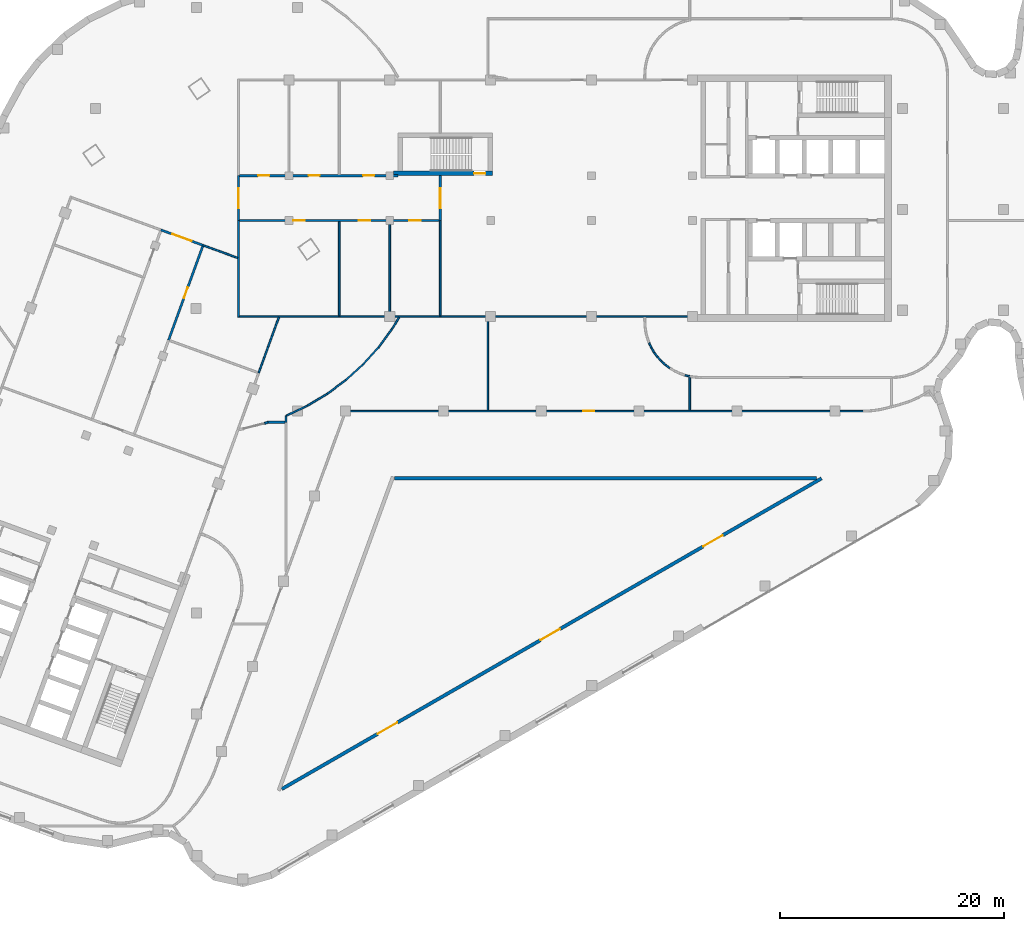
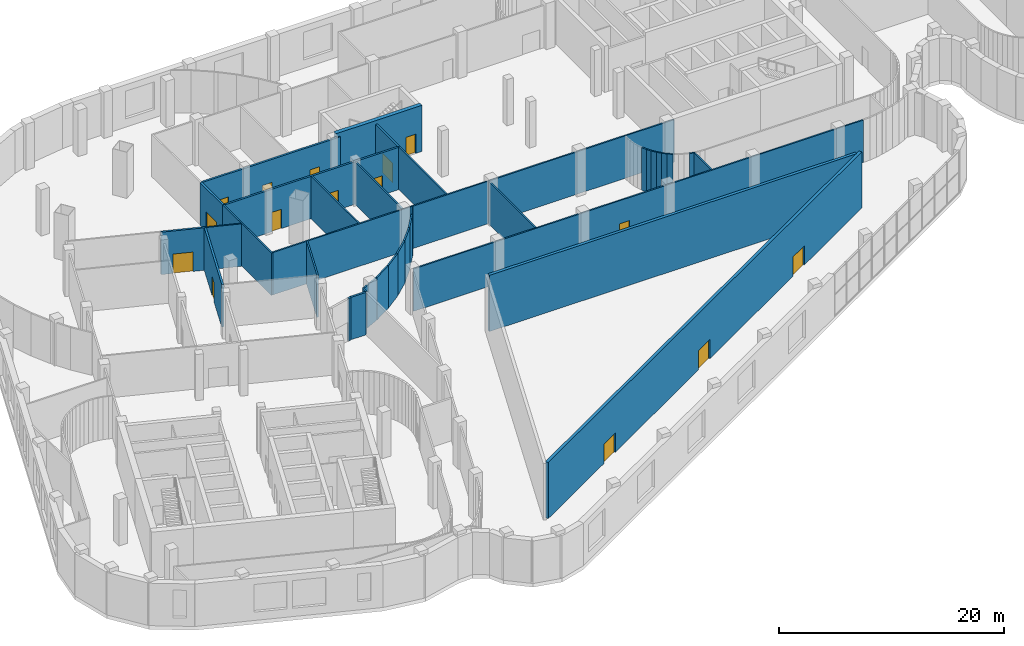
# One storey, part 12 of 24: 36 walls, 15 doors, 15 openings.
"""IFC4 building model written with IfcOpenShell, lengths in metres."""

from ifc_helpers import new_model, si_unit, direction, frame, frame_2d, origin, place, context, subcontext, project, spatial, rectangle, extrude, material, layer, layer_set, type_object, element, fill, save


model = new_model("IFC4")

# Units and contexts
model_context = context("Model", 3, precision=1e-05, world=origin(), true_north=direction((0.0, 1.0)))
body_context = subcontext(model_context, "Body", "Model", "MODEL_VIEW")
ifc_project = project(units=[si_unit("LENGTHUNIT", "METRE"), si_unit("AREAUNIT", "SQUARE_METRE"), si_unit("VOLUMEUNIT", "CUBIC_METRE"), si_unit("PLANEANGLEUNIT", "RADIAN"), si_unit("MASSUNIT", "GRAM", prefix="KILO")], contexts=[model_context])

# Site, building, storey
site_placement = place(None, origin())
site = spatial("IfcSite", under=ifc_project, at=site_placement, CompositionType="ELEMENT")
building_placement = place(site_placement, origin())
building = spatial("IfcBuilding", under=site, at=building_placement, Name="Skarvind Civic Tower", CompositionType="ELEMENT")
storey_placement = place(building_placement, frame((0.0, 0.0, 12.5)))
storey = spatial("IfcBuildingStorey", under=building, at=storey_placement, Name="L02", CompositionType="ELEMENT", Elevation=12.5)

# Wall, opening, door
ifc_material_1 = material(Name="Concrete C80", Category="concrete")
ifc_layer_1 = layer(ifc_material_1, 0.39990234375)
ifc_layer_set_1 = layer_set([ifc_layer_1], Name="Core wall 400 C80")
wall_type_1 = type_object("IfcWallType", Name="Core wall 400 C80", PredefinedType="SHEAR", material=ifc_layer_set_1)
wall_1_placement = place(storey_placement, frame((63.60009765625, 130.199951171875, 0.0), z_axis=(0.0, 0.0, 1.0), x_axis=(1.0, 0.0, 0.0)))
wall_1 = element("IfcWall", 1, at=wall_1_placement, inside=storey, type_object=wall_type_1, Name="Core wall CM inner L02", PredefinedType="SHEAR", context=body_context, shape_type="SweptSolid", body=[
    extrude(rectangle(XDim=8.7998046875, YDim=0.39990234375, at=frame_2d((4.39990234375, 0.0))), origin(), (0.0, 0.0, 1.0), 5.0),
])
opening_1_placement = place(wall_1_placement, frame((7.175048828125, 0.0, 0.0)))
opening_1 = element("IfcOpeningElement", 2, at=opening_1_placement, cuts=wall_1, Name="Opening D-L02-CM-01", PredefinedType="OPENING", context=body_context, shape_type="SweptSolid", body=[
    extrude(rectangle(XDim=1.0, YDim=2.10009765625, at=frame_2d((0.5, 1.050048828125))), frame((0.0, 0.2099609375, 0.0), z_axis=(0.0, -1.0, 0.0), x_axis=(1.0, 0.0, 0.0)), (0.0, 0.0, 1.0), 0.419921875),
])
ifc_material_2 = material(Name="Fire-rated steel door", Category="steel")
door_type_1 = type_object("IfcDoorType", Name="Fire door 1000", OperationType="NOTDEFINED", PredefinedType="DOOR", material=ifc_material_2)
door_1_placement = place(opening_1_placement, origin())
door_1 = element("IfcDoor", 3, at=door_1_placement, inside=storey, type_object=door_type_1, Name="Fire door", OperationType="SINGLE_SWING_LEFT", OverallHeight=2.10009765625, OverallWidth=1.0, PredefinedType="DOOR", context=body_context, shape_type="SweptSolid", body=[
    extrude(rectangle(XDim=1.0, YDim=2.10009765625, at=frame_2d((0.5, 1.050048828125))), frame((0.0, 0.02490234375, 0.0), z_axis=(0.0, -1.0, 0.0), x_axis=(1.0, 0.0, 0.0)), (0.0, 0.0, 1.0), 0.050048828125),
])
fill(opening_1, door_1)

ifc_material_3 = material(Name="Fire-rated blockwork wall, plastered", Category="masonry")
ifc_layer_2 = layer(ifc_material_3, 0.199951171875)
ifc_layer_set_2 = layer_set([ifc_layer_2], Name="FIRE WALL 200 EI 60")
wall_type_2 = type_object("IfcWallType", Name="FIRE WALL 200 EI 60", PredefinedType="PARTITIONING", material=ifc_layer_set_2)
wall_2_placement = place(storey_placement, frame((42.837890625, 125.159912109375, 0.0), z_axis=(0.0, 0.0, 1.0), x_axis=(0.939713209288, -0.341963571582, 0.0)))
wall_2 = element("IfcWall", 4, at=wall_2_placement, inside=storey, type_object=wall_type_2, Name="Podium partition L02 057", PredefinedType="PARTITIONING", context=body_context, shape_type="SweptSolid", body=[
    extrude(rectangle(XDim=4.000244140625, YDim=0.199951171875, at=frame_2d((2.0, 0.0))), origin(), (0.0, 0.0, 1.0), 4.60009765625),
])
opening_2_placement = place(wall_2_placement, frame((1.10009765625, 0.0, 0.0)))
opening_2 = element("IfcOpeningElement", 5, at=opening_2_placement, cuts=wall_2, Name="Opening L02-D208", PredefinedType="OPENING", context=body_context, shape_type="SweptSolid", body=[
    extrude(rectangle(XDim=1.800048828125, YDim=2.10009765625, at=frame_2d((0.89990234375, 1.050048828125))), frame((0.0, 0.10986328125, 0.0), z_axis=(0.0, -1.0, 0.0), x_axis=(1.0, 0.0, 0.0)), (0.0, 0.0, 1.0), 0.219970703125),
])
ifc_material_4 = material(Name="Painted steel fire door leaf", Category="steel")
door_type_2 = type_object("IfcDoorType", Name="FIRE DOOR 1800X2100 DOUBLE STEEL", OperationType="NOTDEFINED", PredefinedType="DOOR", material=ifc_material_4)
door_2_placement = place(opening_2_placement, origin())
door_2 = element("IfcDoor", 6, at=door_2_placement, inside=storey, type_object=door_type_2, Name="FIRE DOOR", OperationType="DOUBLE_DOOR_SINGLE_SWING", OverallHeight=2.10009765625, OverallWidth=1.800048828125, PredefinedType="DOOR", context=body_context, shape_type="SweptSolid", body=[
    extrude(rectangle(XDim=1.800048828125, YDim=2.10009765625, at=frame_2d((0.89990234375, 1.050048828125))), frame((0.0, 0.02490234375, 0.0), z_axis=(0.0, -1.0, 0.0), x_axis=(1.0, 0.0, 0.0)), (0.0, 0.0, 1.0), 0.050048828125),
])
fill(opening_2, door_2)

wall_3_placement = place(storey_placement, frame((46.56298828125, 123.697998046875, 0.0), z_axis=(0.0, 0.0, 1.0), x_axis=(-0.342024978895, -0.939690860768, 0.0)))
wall_3 = element("IfcWall", 7, at=wall_3_placement, inside=storey, type_object=wall_type_2, Name="Podium partition L02 061", PredefinedType="PARTITIONING", context=body_context, shape_type="SweptSolid", body=[
    extrude(rectangle(XDim=8.899658203125, YDim=0.199951171875, at=frame_2d((4.44970703125, 0.0))), origin(), (0.0, 0.0, 1.0), 4.60009765625),
])
opening_3_placement = place(wall_3_placement, frame((3.902099609375, 0.0, 0.0)))
opening_3 = element("IfcOpeningElement", 8, at=opening_3_placement, cuts=wall_3, Name="Opening L02-D209", PredefinedType="OPENING", context=body_context, shape_type="SweptSolid", body=[
    extrude(rectangle(XDim=1.0, YDim=2.10009765625, at=frame_2d((0.5, 1.050048828125))), frame((0.0, 0.10986328125, 0.0), z_axis=(0.0, -1.0, 0.0), x_axis=(1.0, 0.0, 0.0)), (0.0, 0.0, 1.0), 0.219970703125),
])
door_type_3 = type_object("IfcDoorType", Name="FIRE DOOR 1000X2100 STEEL", OperationType="NOTDEFINED", PredefinedType="DOOR", material=ifc_material_4)
door_3_placement = place(opening_3_placement, origin())
door_3 = element("IfcDoor", 9, at=door_3_placement, inside=storey, type_object=door_type_3, Name="FIRE DOOR", OperationType="SINGLE_SWING_RIGHT", OverallHeight=2.10009765625, OverallWidth=1.0, PredefinedType="DOOR", context=body_context, shape_type="SweptSolid", body=[
    extrude(rectangle(XDim=1.0, YDim=2.10009765625, at=frame_2d((0.5, 1.050048828125))), frame((0.0, 0.02490234375, 0.0), z_axis=(0.0, -1.0, 0.0), x_axis=(1.0, 0.0, 0.0)), (0.0, 0.0, 1.0), 0.050048828125),
])
fill(opening_3, door_3)

wall_4_placement = place(storey_placement, frame((49.75, 126.0, 0.0), z_axis=(0.0, 0.0, 1.0), x_axis=(0.0, 1.0, 0.0)))
wall_4 = element("IfcWall", 10, at=wall_4_placement, inside=storey, type_object=wall_type_2, Name="Podium partition L02 096", PredefinedType="PARTITIONING", context=body_context, shape_type="SweptSolid", body=[
    extrude(rectangle(XDim=4.0, YDim=0.199951171875, at=frame_2d((2.0, 0.0))), origin(), (0.0, 0.0, 1.0), 4.60009765625),
])
opening_4_placement = place(wall_4_placement, frame((1.10009765625, 0.0, 0.0)))
opening_4 = element("IfcOpeningElement", 11, at=opening_4_placement, cuts=wall_4, Name="Opening L02-D213", PredefinedType="OPENING", context=body_context, shape_type="SweptSolid", body=[
    extrude(rectangle(XDim=1.800048828125, YDim=2.10009765625, at=frame_2d((0.89990234375, 1.050048828125))), frame((0.0, 0.10986328125, 0.0), z_axis=(0.0, -1.0, 0.0), x_axis=(1.0, 0.0, 0.0)), (0.0, 0.0, 1.0), 0.219970703125),
])
door_4_placement = place(opening_4_placement, origin())
door_4 = element("IfcDoor", 12, at=door_4_placement, inside=storey, type_object=door_type_2, Name="FIRE DOOR", OperationType="DOUBLE_DOOR_SINGLE_SWING", OverallHeight=2.10009765625, OverallWidth=1.800048828125, PredefinedType="DOOR", context=body_context, shape_type="SweptSolid", body=[
    extrude(rectangle(XDim=1.800048828125, YDim=2.10009765625, at=frame_2d((0.89990234375, 1.050048828125))), frame((0.0, 0.02490234375, 0.0), z_axis=(0.0, -1.0, 0.0), x_axis=(1.0, 0.0, 0.0)), (0.0, 0.0, 1.0), 0.050048828125),
])
fill(opening_4, door_4)

# Wall, openings, doors
wall_5_placement = place(storey_placement, frame((67.64990234375, 126.0, 0.0), z_axis=(0.0, 0.0, 1.0), x_axis=(-1.0, 0.0, 0.0)))
wall_5 = element("IfcWall", 13, at=wall_5_placement, inside=storey, type_object=wall_type_2, Name="Podium partition L02 097", PredefinedType="PARTITIONING", context=body_context, shape_type="SweptSolid", body=[
    extrude(rectangle(XDim=17.7998046875, YDim=0.199951171875, at=frame_2d((8.89990234375, 0.0))), origin(), (0.0, 0.0, 1.0), 4.60009765625),
])
opening_5_placement = place(wall_5_placement, frame((11.998046875, 0.0, 0.0)))
opening_5 = element("IfcOpeningElement", 14, at=opening_5_placement, cuts=wall_5, Name="Opening L02-D217", PredefinedType="OPENING", context=body_context, shape_type="SweptSolid", body=[
    extrude(rectangle(XDim=1.0, YDim=2.10009765625, at=frame_2d((0.5, 1.050048828125))), frame((0.0, 0.10986328125, 0.0), z_axis=(0.0, -1.0, 0.0), x_axis=(1.0, 0.0, 0.0)), (0.0, 0.0, 1.0), 0.219970703125),
])
opening_6_placement = place(wall_5_placement, frame((6.14990234375, 0.0, 0.0)))
opening_6 = element("IfcOpeningElement", 15, at=opening_6_placement, cuts=wall_5, Name="Opening L02-D219", PredefinedType="OPENING", context=body_context, shape_type="SweptSolid", body=[
    extrude(rectangle(XDim=1.0, YDim=2.10009765625, at=frame_2d((0.5, 1.050048828125))), frame((0.0, 0.10986328125, 0.0), z_axis=(0.0, -1.0, 0.0), x_axis=(1.0, 0.0, 0.0)), (0.0, 0.0, 1.0), 0.219970703125),
])
opening_7_placement = place(wall_5_placement, frame((1.652099609375, 0.0, 0.0)))
opening_7 = element("IfcOpeningElement", 16, at=opening_7_placement, cuts=wall_5, Name="Opening L02-D222", PredefinedType="OPENING", context=body_context, shape_type="SweptSolid", body=[
    extrude(rectangle(XDim=1.0, YDim=2.10009765625, at=frame_2d((0.5, 1.050048828125))), frame((0.0, 0.10986328125, 0.0), z_axis=(0.0, -1.0, 0.0), x_axis=(1.0, 0.0, 0.0)), (0.0, 0.0, 1.0), 0.219970703125),
])
door_5_placement = place(opening_5_placement, origin())
door_5 = element("IfcDoor", 17, at=door_5_placement, inside=storey, type_object=door_type_3, Name="FIRE DOOR", OperationType="SINGLE_SWING_LEFT", OverallHeight=2.10009765625, OverallWidth=1.0, PredefinedType="DOOR", context=body_context, shape_type="SweptSolid", body=[
    extrude(rectangle(XDim=1.0, YDim=2.10009765625, at=frame_2d((0.5, 1.050048828125))), frame((0.0, 0.02490234375, 0.0), z_axis=(0.0, -1.0, 0.0), x_axis=(1.0, 0.0, 0.0)), (0.0, 0.0, 1.0), 0.050048828125),
])
fill(opening_5, door_5)
door_6_placement = place(opening_6_placement, origin())
door_6 = element("IfcDoor", 18, at=door_6_placement, inside=storey, type_object=door_type_3, Name="FIRE DOOR", OperationType="SINGLE_SWING_LEFT", OverallHeight=2.10009765625, OverallWidth=1.0, PredefinedType="DOOR", context=body_context, shape_type="SweptSolid", body=[
    extrude(rectangle(XDim=1.0, YDim=2.10009765625, at=frame_2d((0.5, 1.050048828125))), frame((0.0, 0.02490234375, 0.0), z_axis=(0.0, -1.0, 0.0), x_axis=(1.0, 0.0, 0.0)), (0.0, 0.0, 1.0), 0.050048828125),
])
fill(opening_6, door_6)
door_7_placement = place(opening_7_placement, origin())
door_7 = element("IfcDoor", 19, at=door_7_placement, inside=storey, type_object=door_type_3, Name="FIRE DOOR", OperationType="SINGLE_SWING_RIGHT", OverallHeight=2.10009765625, OverallWidth=1.0, PredefinedType="DOOR", context=body_context, shape_type="SweptSolid", body=[
    extrude(rectangle(XDim=1.0, YDim=2.10009765625, at=frame_2d((0.5, 1.050048828125))), frame((0.0, 0.02490234375, 0.0), z_axis=(0.0, -1.0, 0.0), x_axis=(1.0, 0.0, 0.0)), (0.0, 0.0, 1.0), 0.050048828125),
])
fill(opening_7, door_7)

wall_6_placement = place(storey_placement, frame((49.85009765625, 130.0, 0.0), z_axis=(0.0, 0.0, 1.0), x_axis=(1.0, 0.0, 0.0)))
wall_6 = element("IfcWall", 20, at=wall_6_placement, inside=storey, type_object=wall_type_2, Name="Podium partition L02 099", PredefinedType="PARTITIONING", context=body_context, shape_type="SweptSolid", body=[
    extrude(rectangle(XDim=14.14990234375, YDim=0.199951171875, at=frame_2d((7.074951171875, 0.0))), origin(), (0.0, 0.0, 1.0), 4.60009765625),
])
opening_8_placement = place(wall_6_placement, frame((1.652099609375, 0.0, 0.0)))
opening_8 = element("IfcOpeningElement", 21, at=opening_8_placement, cuts=wall_6, Name="Opening L02-D215", PredefinedType="OPENING", context=body_context, shape_type="SweptSolid", body=[
    extrude(rectangle(XDim=1.0, YDim=2.10009765625, at=frame_2d((0.5, 1.050048828125))), frame((0.0, 0.10986328125, 0.0), z_axis=(0.0, -1.0, 0.0), x_axis=(1.0, 0.0, 0.0)), (0.0, 0.0, 1.0), 0.219970703125),
])
opening_9_placement = place(wall_6_placement, frame((6.14990234375, 0.0, 0.0)))
opening_9 = element("IfcOpeningElement", 22, at=opening_9_placement, cuts=wall_6, Name="Opening L02-D218", PredefinedType="OPENING", context=body_context, shape_type="SweptSolid", body=[
    extrude(rectangle(XDim=1.0, YDim=2.10009765625, at=frame_2d((0.5, 1.050048828125))), frame((0.0, 0.10986328125, 0.0), z_axis=(0.0, -1.0, 0.0), x_axis=(1.0, 0.0, 0.0)), (0.0, 0.0, 1.0), 0.219970703125),
])
opening_10_placement = place(wall_6_placement, frame((11.02294921875, 0.0, 0.0)))
opening_10 = element("IfcOpeningElement", 23, at=opening_10_placement, cuts=wall_6, Name="Opening L02-D220", PredefinedType="OPENING", context=body_context, shape_type="SweptSolid", body=[
    extrude(rectangle(XDim=1.0, YDim=2.10009765625, at=frame_2d((0.5, 1.050048828125))), frame((0.0, 0.10986328125, 0.0), z_axis=(0.0, -1.0, 0.0), x_axis=(1.0, 0.0, 0.0)), (0.0, 0.0, 1.0), 0.219970703125),
])
door_8_placement = place(opening_8_placement, origin())
door_8 = element("IfcDoor", 24, at=door_8_placement, inside=storey, type_object=door_type_3, Name="FIRE DOOR", OperationType="SINGLE_SWING_LEFT", OverallHeight=2.10009765625, OverallWidth=1.0, PredefinedType="DOOR", context=body_context, shape_type="SweptSolid", body=[
    extrude(rectangle(XDim=1.0, YDim=2.10009765625, at=frame_2d((0.5, 1.050048828125))), frame((0.0, 0.02490234375, 0.0), z_axis=(0.0, -1.0, 0.0), x_axis=(1.0, 0.0, 0.0)), (0.0, 0.0, 1.0), 0.050048828125),
])
fill(opening_8, door_8)
door_9_placement = place(opening_9_placement, origin())
door_9 = element("IfcDoor", 25, at=door_9_placement, inside=storey, type_object=door_type_3, Name="FIRE DOOR", OperationType="SINGLE_SWING_RIGHT", OverallHeight=2.10009765625, OverallWidth=1.0, PredefinedType="DOOR", context=body_context, shape_type="SweptSolid", body=[
    extrude(rectangle(XDim=1.0, YDim=2.10009765625, at=frame_2d((0.5, 1.050048828125))), frame((0.0, 0.02490234375, 0.0), z_axis=(0.0, -1.0, 0.0), x_axis=(1.0, 0.0, 0.0)), (0.0, 0.0, 1.0), 0.050048828125),
])
fill(opening_9, door_9)
door_10_placement = place(opening_10_placement, origin())
door_10 = element("IfcDoor", 26, at=door_10_placement, inside=storey, type_object=door_type_3, Name="FIRE DOOR", OperationType="SINGLE_SWING_LEFT", OverallHeight=2.10009765625, OverallWidth=1.0, PredefinedType="DOOR", context=body_context, shape_type="SweptSolid", body=[
    extrude(rectangle(XDim=1.0, YDim=2.10009765625, at=frame_2d((0.5, 1.050048828125))), frame((0.0, 0.02490234375, 0.0), z_axis=(0.0, -1.0, 0.0), x_axis=(1.0, 0.0, 0.0)), (0.0, 0.0, 1.0), 0.050048828125),
])
fill(opening_10, door_10)

# Walls
wall_7_placement = place(storey_placement, frame((52.091064453125, 107.902099609375, 0.0), z_axis=(0.0, 0.0, 1.0), x_axis=(0.940856992367, 0.338803954986, 0.0)))
element("IfcWall", 27, at=wall_7_placement, inside=storey, type_object=wall_type_2, Name="Podium partition L02 109", PredefinedType="PARTITIONING", context=body_context, shape_type="SweptSolid", body=[
    extrude(rectangle(XDim=0.306884765625, YDim=0.199951171875, at=frame_2d((0.1533203125, 0.0))), origin(), (0.0, 0.0, 1.0), 4.60009765625),
])
wall_8_placement = place(storey_placement, frame((52.346923828125, 108.0, 0.0), z_axis=(0.0, 0.0, 1.0), x_axis=(1.0, 0.0, 0.0)))
element("IfcWall", 28, at=wall_8_placement, inside=storey, type_object=wall_type_2, Name="Podium partition L02 110", PredefinedType="PARTITIONING", context=body_context, shape_type="SweptSolid", body=[
    extrude(rectangle(XDim=1.552978515625, YDim=0.199951171875, at=frame_2d((0.7763671875, 0.0))), origin(), (0.0, 0.0, 1.0), 4.60009765625),
])

# Wall, opening, door
wall_9_placement = place(storey_placement, frame((67.75, 130.0, 0.0), z_axis=(0.0, 0.0, 1.0), x_axis=(0.0, -1.0, 0.0)))
wall_9 = element("IfcWall", 29, at=wall_9_placement, inside=storey, type_object=wall_type_2, Name="Podium partition L02 139", PredefinedType="PARTITIONING", context=body_context, shape_type="SweptSolid", body=[
    extrude(rectangle(XDim=4.0, YDim=0.199951171875, at=frame_2d((2.0, 0.0))), origin(), (0.0, 0.0, 1.0), 4.60009765625),
])
opening_11_placement = place(wall_9_placement, frame((1.10009765625, 0.0, 0.0)))
opening_11 = element("IfcOpeningElement", 30, at=opening_11_placement, cuts=wall_9, Name="Opening L02-D223", PredefinedType="OPENING", context=body_context, shape_type="SweptSolid", body=[
    extrude(rectangle(XDim=1.800048828125, YDim=2.10009765625, at=frame_2d((0.89990234375, 1.050048828125))), frame((0.0, 0.10986328125, 0.0), z_axis=(0.0, -1.0, 0.0), x_axis=(1.0, 0.0, 0.0)), (0.0, 0.0, 1.0), 0.219970703125),
])
door_11_placement = place(opening_11_placement, origin())
door_11 = element("IfcDoor", 31, at=door_11_placement, inside=storey, type_object=door_type_2, Name="FIRE DOOR", OperationType="DOUBLE_DOOR_SINGLE_SWING", OverallHeight=2.10009765625, OverallWidth=1.800048828125, PredefinedType="DOOR", context=body_context, shape_type="SweptSolid", body=[
    extrude(rectangle(XDim=1.800048828125, YDim=2.10009765625, at=frame_2d((0.89990234375, 1.050048828125))), frame((0.0, 0.02490234375, 0.0), z_axis=(0.0, -1.0, 0.0), x_axis=(1.0, 0.0, 0.0)), (0.0, 0.0, 1.0), 0.050048828125),
])
fill(opening_11, door_11)

# Wall, openings, doors
ifc_material_5 = material(Name="Dense blockwork wall, plastered", Category="masonry")
ifc_layer_3 = layer(ifc_material_5, 0.300048828125)
ifc_layer_set_3 = layer_set([ifc_layer_3], Name="MASONRY WALL 300")
wall_type_3 = type_object("IfcWallType", Name="MASONRY WALL 300", PredefinedType="PARTITIONING", material=ifc_layer_set_3)
wall_10_placement = place(storey_placement, frame((101.763916015625, 103.0, 0.0), z_axis=(0.0, 0.0, 1.0), x_axis=(-0.866697259032, -0.498834502802, 0.0)))
wall_10 = element("IfcWall", 32, at=wall_10_placement, inside=storey, type_object=wall_type_3, Name="Podium partition L02 113", PredefinedType="PARTITIONING", context=body_context, shape_type="SweptSolid", body=[
    extrude(rectangle(XDim=55.54736328125, YDim=0.300048828125, at=frame_2d((27.773681640625, 0.0))), origin(), (0.0, 0.0, 1.0), 6.10009765625),
])
opening_12_placement = place(wall_10_placement, frame((43.673095703125, 0.0, 0.0)))
opening_12 = element("IfcOpeningElement", 33, at=opening_12_placement, cuts=wall_10, Name="Opening L02-D221", PredefinedType="OPENING", context=body_context, shape_type="SweptSolid", body=[
    extrude(rectangle(XDim=2.0, YDim=2.10009765625, at=frame_2d((1.0, 1.050048828125))), frame((0.0, 0.159912109375, 0.0), z_axis=(0.0, -1.0, 0.0), x_axis=(1.0, 0.0, 0.0)), (0.0, 0.0, 1.0), 0.320068359375),
])
opening_13_placement = place(wall_10_placement, frame((26.9208984375, 0.0, 0.0)))
opening_13 = element("IfcOpeningElement", 34, at=opening_13_placement, cuts=wall_10, Name="Opening L02-D224", PredefinedType="OPENING", context=body_context, shape_type="SweptSolid", body=[
    extrude(rectangle(XDim=2.0, YDim=2.10009765625, at=frame_2d((1.0, 1.050048828125))), frame((0.0, 0.159912109375, 0.0), z_axis=(0.0, -1.0, 0.0), x_axis=(1.0, 0.0, 0.0)), (0.0, 0.0, 1.0), 0.320068359375),
])
opening_14_placement = place(wall_10_placement, frame((10.1689453125, 0.0, 0.0)))
opening_14 = element("IfcOpeningElement", 35, at=opening_14_placement, cuts=wall_10, Name="Opening L02-D228", PredefinedType="OPENING", context=body_context, shape_type="SweptSolid", body=[
    extrude(rectangle(XDim=2.0, YDim=2.10009765625, at=frame_2d((1.0, 1.050048828125))), frame((0.0, 0.159912109375, 0.0), z_axis=(0.0, -1.0, 0.0), x_axis=(1.0, 0.0, 0.0)), (0.0, 0.0, 1.0), 0.320068359375),
])
ifc_material_6 = material(Name="Timber veneer door leaf", Category="wood")
door_type_4 = type_object("IfcDoorType", Name="DOOR 2000X2100 DOUBLE TIMBER", OperationType="NOTDEFINED", PredefinedType="DOOR", material=ifc_material_6)
door_12_placement = place(opening_12_placement, origin())
door_12 = element("IfcDoor", 36, at=door_12_placement, inside=storey, type_object=door_type_4, Name="DOOR DOOR", OperationType="DOUBLE_DOOR_SINGLE_SWING", OverallHeight=2.10009765625, OverallWidth=2.0, PredefinedType="DOOR", context=body_context, shape_type="SweptSolid", body=[
    extrude(rectangle(XDim=2.0, YDim=2.10009765625, at=frame_2d((1.0, 1.050048828125))), frame((0.0, 0.02490234375, 0.0), z_axis=(0.0, -1.0, 0.0), x_axis=(1.0, 0.0, 0.0)), (0.0, 0.0, 1.0), 0.050048828125),
])
fill(opening_12, door_12)
door_13_placement = place(opening_13_placement, origin())
door_13 = element("IfcDoor", 37, at=door_13_placement, inside=storey, type_object=door_type_4, Name="DOOR DOOR", OperationType="DOUBLE_DOOR_SINGLE_SWING", OverallHeight=2.10009765625, OverallWidth=2.0, PredefinedType="DOOR", context=body_context, shape_type="SweptSolid", body=[
    extrude(rectangle(XDim=2.0, YDim=2.10009765625, at=frame_2d((1.0, 1.050048828125))), frame((0.0, 0.02490234375, 0.0), z_axis=(0.0, -1.0, 0.0), x_axis=(1.0, 0.0, 0.0)), (0.0, 0.0, 1.0), 0.050048828125),
])
fill(opening_13, door_13)
door_14_placement = place(opening_14_placement, origin())
door_14 = element("IfcDoor", 38, at=door_14_placement, inside=storey, type_object=door_type_4, Name="DOOR DOOR", OperationType="DOUBLE_DOOR_SINGLE_SWING", OverallHeight=2.10009765625, OverallWidth=2.0, PredefinedType="DOOR", context=body_context, shape_type="SweptSolid", body=[
    extrude(rectangle(XDim=2.0, YDim=2.10009765625, at=frame_2d((1.0, 1.050048828125))), frame((0.0, 0.02490234375, 0.0), z_axis=(0.0, -1.0, 0.0), x_axis=(1.0, 0.0, 0.0)), (0.0, 0.0, 1.0), 0.050048828125),
])
fill(opening_14, door_14)

# Walls
wall_11_placement = place(storey_placement, frame((63.6650390625, 103.0, 0.0), z_axis=(0.0, 0.0, 1.0), x_axis=(1.0, 0.0, 0.0)))
element("IfcWall", 39, at=wall_11_placement, inside=storey, type_object=wall_type_3, Name="Podium partition L02 136", PredefinedType="PARTITIONING", context=body_context, shape_type="SweptSolid", body=[
    extrude(rectangle(XDim=37.66796875, YDim=0.300048828125, at=frame_2d((18.833984375, 0.0))), origin(), (0.0, 0.0, 1.0), 6.10009765625),
])
ifc_material_7 = material(Name="Plasterboard partition on steel studs", Category="steel")
ifc_layer_4 = layer(ifc_material_7, 0.14990234375)
ifc_layer_set_4 = layer_set([ifc_layer_4], Name="PARTITION 150")
wall_type_4 = type_object("IfcWallType", Name="PARTITION 150", PredefinedType="PARTITIONING", material=ifc_layer_set_4)
wall_12_placement = place(storey_placement, frame((46.596923828125, 123.7919921875, 0.0), z_axis=(0.0, 0.0, 1.0), x_axis=(0.939619227089, -0.342221723572, 0.0)))
element("IfcWall", 40, at=wall_12_placement, inside=storey, type_object=wall_type_4, Name="Podium partition L02 074", PredefinedType="PARTITIONING", context=body_context, shape_type="SweptSolid", body=[
    extrude(rectangle(XDim=3.27587890625, YDim=0.14990234375, at=frame_2d((1.637939453125, 0.0))), origin(), (0.0, 0.0, 1.0), 4.60009765625),
])
wall_13_placement = place(storey_placement, frame((49.75, 117.375, 0.0), z_axis=(0.0, 0.0, 1.0), x_axis=(0.0, 1.0, 0.0)))
element("IfcWall", 41, at=wall_13_placement, inside=storey, type_object=wall_type_4, Name="Podium partition L02 094", PredefinedType="PARTITIONING", context=body_context, shape_type="SweptSolid", body=[
    extrude(rectangle(XDim=8.625, YDim=0.14990234375, at=frame_2d((4.3125, 0.0))), origin(), (0.0, 0.0, 1.0), 4.60009765625),
])
wall_14_placement = place(storey_placement, frame((49.824951171875, 117.449951171875, 0.0), z_axis=(0.0, 0.0, 1.0), x_axis=(1.0, 0.0, 0.0)))
element("IfcWall", 42, at=wall_14_placement, inside=storey, type_object=wall_type_4, Name="Podium partition L02 095", PredefinedType="PARTITIONING", context=body_context, shape_type="SweptSolid", body=[
    extrude(rectangle(XDim=41.175048828125, YDim=0.14990234375, at=frame_2d((20.58740234375, 0.0))), origin(), (0.0, 0.0, 1.0), 4.60009765625),
])
wall_15_placement = place(storey_placement, frame((51.552978515625, 112.410888671875, 0.0), z_axis=(0.0, 0.0, 1.0), x_axis=(0.342076997639, 0.93967192556, 0.0)))
element("IfcWall", 43, at=wall_15_placement, inside=storey, type_object=wall_type_4, Name="Podium partition L02 108", PredefinedType="PARTITIONING", context=body_context, shape_type="SweptSolid", body=[
    extrude(rectangle(XDim=5.28271484375, YDim=0.14990234375, at=frame_2d((2.641357421875, 0.0))), origin(), (0.0, 0.0, 1.0), 4.60009765625),
])
wall_16_placement = place(storey_placement, frame((54.0, 108.0, 0.0), z_axis=(0.0, 0.0, 1.0), x_axis=(0.0, 1.0, 0.0)))
element("IfcWall", 44, at=wall_16_placement, inside=storey, type_object=wall_type_4, Name="Podium partition L02 116", PredefinedType="PARTITIONING", context=body_context, shape_type="SweptSolid", body=[
    extrude(rectangle(XDim=0.5859375, YDim=0.14990234375, at=frame_2d((0.29296875, 0.0))), origin(), (0.0, 0.0, 1.0), 4.60009765625),
])
wall_17_placement = place(storey_placement, frame((54.035888671875, 108.59912109375, 0.0), z_axis=(0.0, 0.0, 1.0), x_axis=(0.903959249768, 0.427618608995, 0.0)))
element("IfcWall", 45, at=wall_17_placement, inside=storey, type_object=wall_type_4, Name="Podium partition L02 117", PredefinedType="PARTITIONING", context=body_context, shape_type="SweptSolid", body=[
    extrude(rectangle(XDim=2.064453125, YDim=0.14990234375, at=frame_2d((1.0322265625, 0.0))), origin(), (0.0, 0.0, 1.0), 4.60009765625),
])
wall_18_placement = place(storey_placement, frame((55.89599609375, 109.47802734375, 0.0), z_axis=(0.0, 0.0, 1.0), x_axis=(0.857784452141, 0.514009565734, 0.0)))
element("IfcWall", 46, at=wall_18_placement, inside=storey, type_object=wall_type_4, Name="Podium partition L02 119", PredefinedType="PARTITIONING", context=body_context, shape_type="SweptSolid", body=[
    extrude(rectangle(XDim=2.068115234375, YDim=0.14990234375, at=frame_2d((1.0341796875, 0.0))), origin(), (0.0, 0.0, 1.0), 4.60009765625),
])
wall_19_placement = place(storey_placement, frame((57.6640625, 110.537109375, 0.0), z_axis=(0.0, 0.0, 1.0), x_axis=(0.80317638599, 0.595741297031, 0.0)))
element("IfcWall", 47, at=wall_19_placement, inside=storey, type_object=wall_type_4, Name="Podium partition L02 121", PredefinedType="PARTITIONING", context=body_context, shape_type="SweptSolid", body=[
    extrude(rectangle(XDim=2.06787109375, YDim=0.14990234375, at=frame_2d((1.033935546875, 0.0))), origin(), (0.0, 0.0, 1.0), 4.60009765625),
])
wall_20_placement = place(storey_placement, frame((58.75, 117.52490234375, 0.0), z_axis=(0.0, 0.0, 1.0), x_axis=(0.0, 1.0, 0.0)))
element("IfcWall", 48, at=wall_20_placement, inside=storey, type_object=wall_type_4, Name="Podium partition L02 123", PredefinedType="PARTITIONING", context=body_context, shape_type="SweptSolid", body=[
    extrude(rectangle(XDim=8.375, YDim=0.14990234375, at=frame_2d((4.1875, 0.0))), origin(), (0.0, 0.0, 1.0), 4.60009765625),
])

# Wall, opening, door
wall_21_placement = place(storey_placement, frame((59.384033203125, 109.0, 0.0), z_axis=(0.0, 0.0, 1.0), x_axis=(1.0, 0.0, 0.0)))
wall_21 = element("IfcWall", 49, at=wall_21_placement, inside=storey, type_object=wall_type_4, Name="Podium partition L02 125", PredefinedType="PARTITIONING", context=body_context, shape_type="SweptSolid", body=[
    extrude(rectangle(XDim=46.115966796875, YDim=0.14990234375, at=frame_2d((23.05810546875, 0.0))), origin(), (0.0, 0.0, 1.0), 4.60009765625),
])
opening_15_placement = place(wall_21_placement, frame((21.115966796875, 0.0, 0.0)))
opening_15 = element("IfcOpeningElement", 50, at=opening_15_placement, cuts=wall_21, Name="Opening L02-D226", PredefinedType="OPENING", context=body_context, shape_type="SweptSolid", body=[
    extrude(rectangle(XDim=1.0, YDim=2.10009765625, at=frame_2d((0.5, 1.050048828125))), frame((0.0, 0.0849609375, 0.0), z_axis=(0.0, -1.0, 0.0), x_axis=(1.0, 0.0, 0.0)), (0.0, 0.0, 1.0), 0.169921875),
])
door_type_5 = type_object("IfcDoorType", Name="DOOR 1000X2100 TIMBER", OperationType="NOTDEFINED", PredefinedType="DOOR", material=ifc_material_6)
door_15_placement = place(opening_15_placement, origin())
door_15 = element("IfcDoor", 51, at=door_15_placement, inside=storey, type_object=door_type_5, Name="DOOR DOOR", OperationType="SINGLE_SWING_RIGHT", OverallHeight=2.10009765625, OverallWidth=1.0, PredefinedType="DOOR", context=body_context, shape_type="SweptSolid", body=[
    extrude(rectangle(XDim=1.0, YDim=2.10009765625, at=frame_2d((0.5, 1.050048828125))), frame((0.0, 0.02490234375, 0.0), z_axis=(0.0, -1.0, 0.0), x_axis=(1.0, 0.0, 0.0)), (0.0, 0.0, 1.0), 0.050048828125),
])
fill(opening_15, door_15)

# Walls
for number, where, z_axis, x_axis, name in (
    (52, (59.319091796875, 111.764892578125, 0.0), (0.0, 0.0, 1.0), (0.741242052621, 0.671237826278, 0.0), "Podium partition L02 126"),
    (53, (60.846923828125, 113.14794921875, 0.0), (0.0, 0.0, 1.0), (0.671237826278, 0.741242052621, 0.0), "Podium partition L02 129"),
):
    element("IfcWall", number, at=place(storey_placement, frame(where, z_axis=z_axis, x_axis=x_axis)), inside=storey, type_object=wall_type_4, Name=name, PredefinedType="PARTITIONING", context=body_context, shape_type="SweptSolid", body=[
        extrude(rectangle(XDim=2.068115234375, YDim=0.14990234375, at=frame_2d((1.0341796875, 0.0))), origin(), (0.0, 0.0, 1.0), 4.60009765625),
    ])
wall_22_placement = place(storey_placement, frame((62.23095703125, 114.675048828125, 0.0), z_axis=(0.0, 0.0, 1.0), x_axis=(0.595741297031, 0.80317638599, 0.0)))
element("IfcWall", 54, at=wall_22_placement, inside=storey, type_object=wall_type_4, Name="Podium partition L02 131", PredefinedType="PARTITIONING", context=body_context, shape_type="SweptSolid", body=[
    extrude(rectangle(XDim=2.06787109375, YDim=0.14990234375, at=frame_2d((1.033935546875, 0.0))), origin(), (0.0, 0.0, 1.0), 4.60009765625),
])
wall_23_placement = place(storey_placement, frame((63.25, 117.52490234375, 0.0), z_axis=(0.0, 0.0, 1.0), x_axis=(0.0, 1.0, 0.0)))
element("IfcWall", 55, at=wall_23_placement, inside=storey, type_object=wall_type_4, Name="Podium partition L02 133", PredefinedType="PARTITIONING", context=body_context, shape_type="SweptSolid", body=[
    extrude(rectangle(XDim=8.375, YDim=0.14990234375, at=frame_2d((4.1875, 0.0))), origin(), (0.0, 0.0, 1.0), 4.60009765625),
])
wall_24_placement = place(storey_placement, frame((63.458984375, 116.330078125, 0.0), z_axis=(0.0, 0.0, 1.0), x_axis=(0.513906129706, 0.857846425563, 0.0)))
element("IfcWall", 56, at=wall_24_placement, inside=storey, type_object=wall_type_4, Name="Podium partition L02 134", PredefinedType="PARTITIONING", context=body_context, shape_type="SweptSolid", body=[
    extrude(rectangle(XDim=1.218017578125, YDim=0.14990234375, at=frame_2d((0.60888671875, 0.0))), origin(), (0.0, 0.0, 1.0), 4.60009765625),
])
wall_25_placement = place(storey_placement, frame((67.75, 117.52490234375, 0.0), z_axis=(0.0, 0.0, 1.0), x_axis=(0.0, 1.0, 0.0)))
element("IfcWall", 57, at=wall_25_placement, inside=storey, type_object=wall_type_4, Name="Podium partition L02 138", PredefinedType="PARTITIONING", context=body_context, shape_type="SweptSolid", body=[
    extrude(rectangle(XDim=8.47509765625, YDim=0.14990234375, at=frame_2d((4.237548828125, 0.0))), origin(), (0.0, 0.0, 1.0), 4.60009765625),
])
wall_26_placement = place(storey_placement, frame((72.0, 109.074951171875, 0.0), z_axis=(0.0, 0.0, 1.0), x_axis=(0.0, 1.0, 0.0)))
element("IfcWall", 58, at=wall_26_placement, inside=storey, type_object=wall_type_4, Name="Podium partition L02 141", PredefinedType="PARTITIONING", context=body_context, shape_type="SweptSolid", body=[
    extrude(rectangle(XDim=8.300048828125, YDim=0.14990234375, at=frame_2d((4.14990234375, 0.0))), origin(), (0.0, 0.0, 1.0), 4.60009765625),
])
wall_27_placement = place(storey_placement, frame((86.37890625, 115.090087890625, 0.0), z_axis=(0.0, 0.0, 1.0), x_axis=(0.427896709028, -0.903827641978, 0.0)))
element("IfcWall", 59, at=wall_27_placement, inside=storey, type_object=wall_type_4, Name="Podium partition L02 159", PredefinedType="PARTITIONING", context=body_context, shape_type="SweptSolid", body=[
    extrude(rectangle(XDim=0.498046875, YDim=0.14990234375, at=frame_2d((0.2490234375, 0.0))), origin(), (0.0, 0.0, 1.0), 4.60009765625),
])
wall_28_placement = place(storey_placement, frame((86.587890625, 114.64599609375, 0.0), z_axis=(0.0, 0.0, 1.0), x_axis=(0.515791778052, -0.85671397893, 0.0)))
element("IfcWall", 60, at=wall_28_placement, inside=storey, type_object=wall_type_4, Name="Podium partition L02 161", PredefinedType="PARTITIONING", context=body_context, shape_type="SweptSolid", body=[
    extrude(rectangle(XDim=0.49853515625, YDim=0.14990234375, at=frame_2d((0.249267578125, 0.0))), origin(), (0.0, 0.0, 1.0), 4.60009765625),
])
wall_29_placement = place(storey_placement, frame((86.841064453125, 114.22509765625, 0.0), z_axis=(0.0, 0.0, 1.0), x_axis=(0.594570362092, -0.80404358372, 0.0)))
element("IfcWall", 61, at=wall_29_placement, inside=storey, type_object=wall_type_4, Name="Podium partition L02 163", PredefinedType="PARTITIONING", context=body_context, shape_type="SweptSolid", body=[
    extrude(rectangle(XDim=0.49755859375, YDim=0.14990234375, at=frame_2d((0.248779296875, 0.0))), origin(), (0.0, 0.0, 1.0), 4.60009765625),
])
for number, where, z_axis, x_axis, name in (
    (62, (87.133056640625, 113.8310546875, 0.0), (0.0, 0.0, 1.0), (0.66993818776, -0.742416880587, 0.0), "Podium partition L02 165"),
    (63, (87.4609375, 113.467041015625, 0.0), (0.0, 0.0, 1.0), (0.742416880587, -0.66993818776, 0.0), "Podium partition L02 167"),
):
    element("IfcWall", number, at=place(storey_placement, frame(where, z_axis=z_axis, x_axis=x_axis)), inside=storey, type_object=wall_type_4, Name=name, PredefinedType="PARTITIONING", context=body_context, shape_type="SweptSolid", body=[
        extrude(rectangle(XDim=0.49853515625, YDim=0.14990234375, at=frame_2d((0.249267578125, 0.0))), origin(), (0.0, 0.0, 1.0), 4.60009765625),
    ])
wall_30_placement = place(storey_placement, frame((87.824951171875, 113.136962890625, 0.0), z_axis=(0.0, 0.0, 1.0), x_axis=(0.80404358372, -0.594570362092, 0.0)))
element("IfcWall", 64, at=wall_30_placement, inside=storey, type_object=wall_type_4, Name="Podium partition L02 169", PredefinedType="PARTITIONING", context=body_context, shape_type="SweptSolid", body=[
    extrude(rectangle(XDim=0.49755859375, YDim=0.14990234375, at=frame_2d((0.248779296875, 0.0))), origin(), (0.0, 0.0, 1.0), 4.60009765625),
])
wall_31_placement = place(storey_placement, frame((89.544921875, 112.216064453125, 0.0), z_axis=(0.0, 0.0, 1.0), x_axis=(0.970116111764, -0.242641154168, 0.0)))
element("IfcWall", 65, at=wall_31_placement, inside=storey, type_object=wall_type_4, Name="Podium partition L02 177", PredefinedType="PARTITIONING", context=body_context, shape_type="SweptSolid", body=[
    extrude(rectangle(XDim=0.54443359375, YDim=0.14990234375, at=frame_2d((0.272216796875, 0.0))), origin(), (0.0, 0.0, 1.0), 4.60009765625),
])
wall_32_placement = place(storey_placement, frame((90.0, 109.074951171875, 0.0), z_axis=(0.0, 0.0, 1.0), x_axis=(0.0, 1.0, 0.0)))
element("IfcWall", 66, at=wall_32_placement, inside=storey, type_object=wall_type_4, Name="Podium partition L02 179", PredefinedType="PARTITIONING", context=body_context, shape_type="SweptSolid", body=[
    extrude(rectangle(XDim=2.949951171875, YDim=0.14990234375, at=frame_2d((1.47509765625, 0.0))), origin(), (0.0, 0.0, 1.0), 4.60009765625),
])

save(model, "model.ifc")
